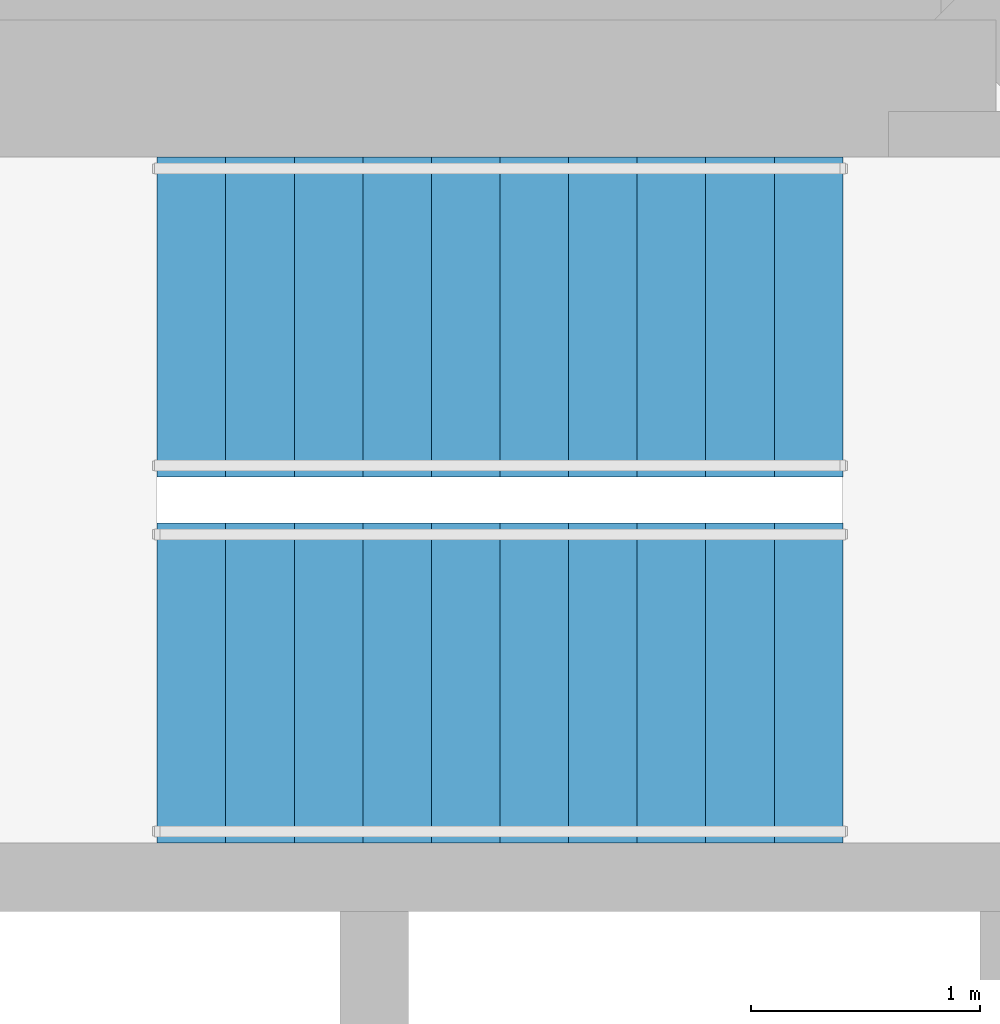
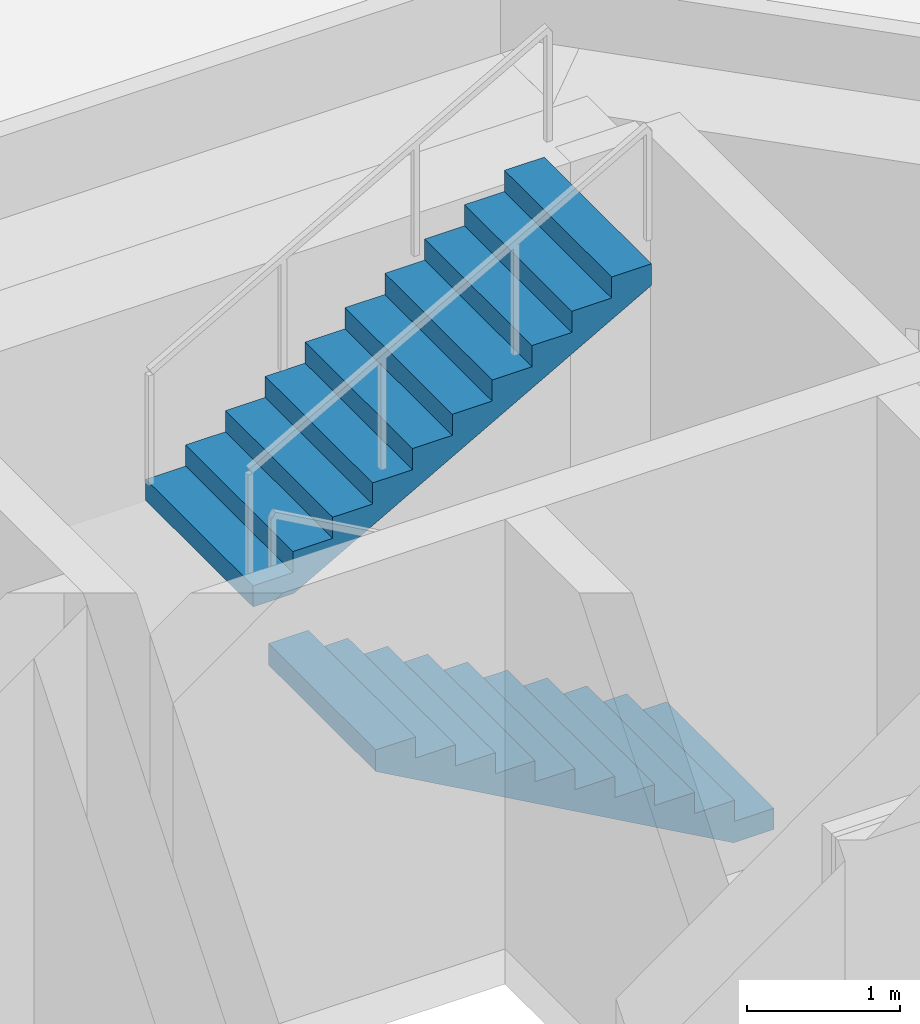
# One storey, part 7 of 9: 2 stair flights, 1 element without a shape of its own.
"""IFC4 building model written with IfcOpenShell, lengths in metres."""

from ifc_helpers import new_model, si_unit, direction, frame, origin, place, context, subcontext, project, spatial, polyline, outline, extrude, material, type_object, element, aggregate, save


model = new_model("IFC4")

# Units and contexts
model_context = context("Model", 3, precision=1e-05, world=origin(), true_north=direction((0.0, 1.0)))
body_context = subcontext(model_context, "Body", "Model", "MODEL_VIEW")
ifc_project = project(units=[si_unit("LENGTHUNIT", "METRE"), si_unit("AREAUNIT", "SQUARE_METRE"), si_unit("VOLUMEUNIT", "CUBIC_METRE"), si_unit("PLANEANGLEUNIT", "RADIAN"), si_unit("MASSUNIT", "GRAM", prefix="KILO")], contexts=[model_context])

# Site, building, storey
site_placement = place(None, origin())
site = spatial("IfcSite", under=ifc_project, at=site_placement, CompositionType="ELEMENT")
building_placement = place(site_placement, origin())
building = spatial("IfcBuilding", under=site, at=building_placement, Name="Torre Triforio", CompositionType="ELEMENT")
storey_placement = place(building_placement, frame((0.0, 0.0, 211.300048828125)))
storey = spatial("IfcBuildingStorey", under=building, at=storey_placement, Name="L48", CompositionType="ELEMENT", Elevation=211.300048828125)

# Stair, stair flights
ifc_material = material(Name="Concrete C40", Category="concrete")
stair_type = type_object("IfcStairType", Name="STAIR HALF-TURN", PredefinedType="HALF_TURN_STAIR", material=ifc_material)
stair_placement = place(storey_placement, origin())
stair = element("IfcStair", 1, at=stair_placement, inside=storey, type_object=stair_type, Name="Exit stair 2", PredefinedType="HALF_TURN_STAIR")
stair_flight_type = type_object("IfcStairFlightType", Name="STAIR FLIGHT 1400", PredefinedType="STRAIGHT", material=ifc_material)
stair_flight_1_placement = place(storey_placement, frame((6.699951171875, 5.199951171875, 0.0), z_axis=(0.0, 0.0, 1.0), x_axis=(-1.0, 0.0, 0.0)))
stair_flight_1 = element("IfcStairFlight", 2, at=stair_flight_1_placement, type_object=stair_flight_type, Name="ST2 flight 1", NumberOfRisers=11, NumberOfTreads=10, PredefinedType="STRAIGHT", RiserHeight=0.168181818, TreadLength=0.3, context=body_context, shape_type="SweptSolid", body=[
    extrude(outline(polyline([(0.0, 0.0), (0.0, 0.168212890625), (0.300048828125, 0.168212890625), (0.300048828125, 0.33642578125), (0.60009765625, 0.33642578125), (0.60009765625, 0.504638671875), (0.89990234375, 0.504638671875), (0.89990234375, 0.672607421875), (1.199951171875, 0.672607421875), (1.199951171875, 0.8408203125), (1.5, 0.8408203125), (1.5, 1.009033203125), (1.800048828125, 1.009033203125), (1.800048828125, 1.17724609375), (2.10009765625, 1.17724609375), (2.10009765625, 1.345458984375), (2.39990234375, 1.345458984375), (2.39990234375, 1.513671875), (2.699951171875, 1.513671875), (2.699951171875, 1.681884765625), (3.0, 1.681884765625), (3.0, 1.85009765625), (3.0, 1.510009765625), (0.306640625, 0.0), (0.0, 0.0)])), frame((0.0, 0.699951171875, 0.0), z_axis=(0.0, -1.0, 0.0), x_axis=(1.0, 0.0, 0.0)), (0.0, 0.0, 1.0), 1.39990234375),
])
stair_flight_2_placement = place(storey_placement, frame((3.699951171875, 6.800048828125, 1.849853515625), z_axis=(0.0, 0.0, 1.0), x_axis=(1.0, 0.0, 0.0)))
stair_flight_2 = element("IfcStairFlight", 3, at=stair_flight_2_placement, type_object=stair_flight_type, Name="ST2 flight 2", NumberOfRisers=11, NumberOfTreads=10, PredefinedType="STRAIGHT", RiserHeight=0.168181818, TreadLength=0.3, context=body_context, shape_type="SweptSolid", body=[
    extrude(outline(polyline([(0.0, 0.0), (0.0, 0.168212890625), (0.300048828125, 0.168212890625), (0.300048828125, 0.33642578125), (0.60009765625, 0.33642578125), (0.60009765625, 0.504638671875), (0.89990234375, 0.504638671875), (0.89990234375, 0.672607421875), (1.199951171875, 0.672607421875), (1.199951171875, 0.8408203125), (1.5, 0.8408203125), (1.5, 1.009033203125), (1.800048828125, 1.009033203125), (1.800048828125, 1.17724609375), (2.10009765625, 1.17724609375), (2.10009765625, 1.345458984375), (2.39990234375, 1.345458984375), (2.39990234375, 1.513671875), (2.699951171875, 1.513671875), (2.699951171875, 1.681884765625), (3.0, 1.681884765625), (3.0, 1.85009765625), (3.0, 1.510009765625), (0.306640625, 0.0), (0.0, 0.0)])), frame((0.0, 0.699951171875, 0.0), z_axis=(0.0, -1.0, 0.0), x_axis=(1.0, 0.0, 0.0)), (0.0, 0.0, 1.0), 1.39990234375),
])
aggregate(stair, [stair_flight_1, stair_flight_2])

save(model, "model.ifc")
